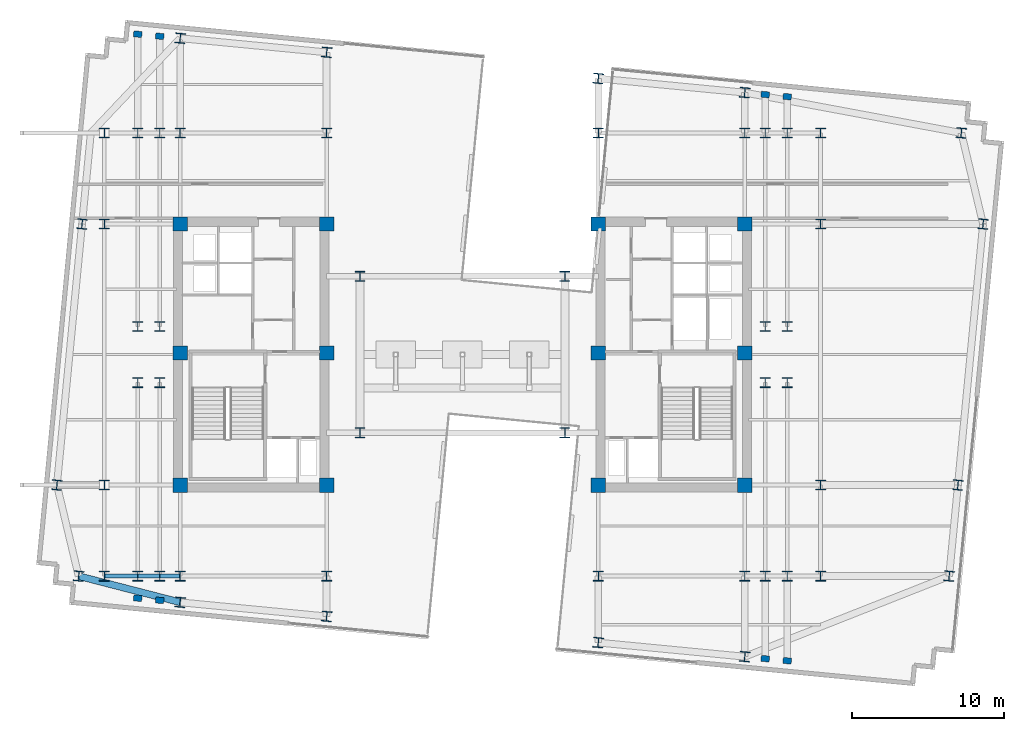
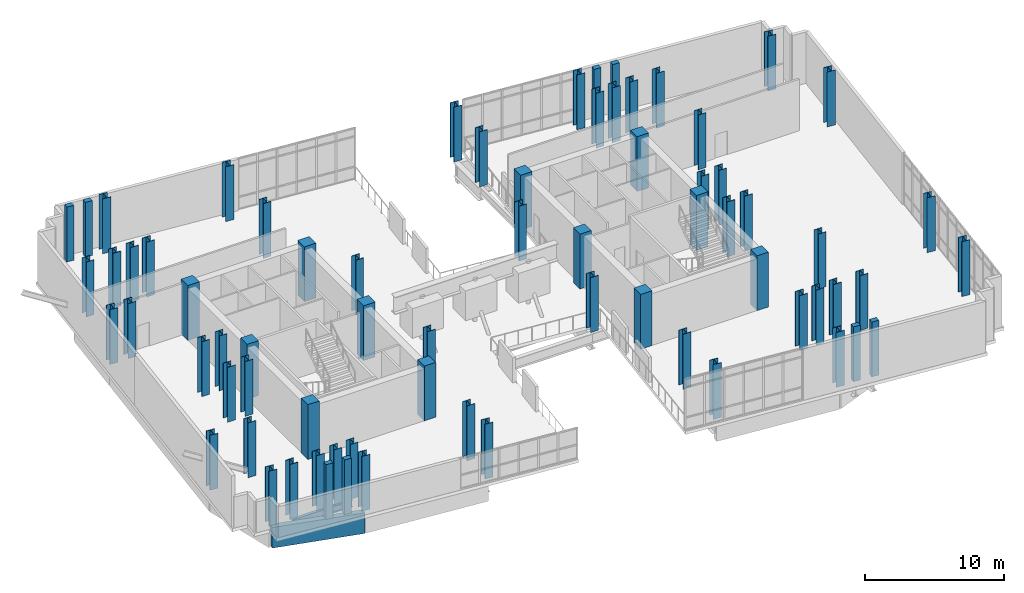
# One storey, part 1 of 16: 71 columns, 2 beams.
"""IFC4 building model written with IfcOpenShell, lengths in metres."""

import ifcopenshell
import ifcopenshell.guid

model = None  # the IFC model being written
_history = None  # IfcOwnerHistory: only IFC2X3 demands one
_inside = {}  # id of a spatial element -> (the spatial element, [elements in it])
_under = {}  # id of a project, library or spatial element -> (it, [spatial elements below it])
_declared = {}  # id of a project -> (the project, [libraries it declares])
_typed = {}  # id of a type object -> (the type object, [elements of that type])
_made_of = {}  # id of a material, layer set ... -> (it, [elements and type objects made of it])


def new_model(schema):
    """Start an empty IFC model of exactly this schema.

    Asked for "IFC4X3", IfcOpenShell would pick the latest addendum, in which some entities
    have other attributes; the version numbers below select the first issue.
    IFC2X3 requires an IfcOwnerHistory on every rooted entity: one is made here for all.
    """
    global model, _history
    if schema == "IFC4X3":
        model = ifcopenshell.file(schema_version=(4, 3, 0, 0))
    else:
        model = ifcopenshell.file(schema=schema)
    _inside.clear()
    _under.clear()
    _declared.clear()
    _typed.clear()
    _made_of.clear()
    _history = None
    if model.schema == "IFC2X3":
        org = make("IfcOrganization", Name="unknown")
        user = make(
            "IfcPersonAndOrganization",
            ThePerson=make("IfcPerson", FamilyName="unknown"),
            TheOrganization=org,
        )
        app = make(
            "IfcApplication",
            ApplicationDeveloper=org,
            Version="unknown",
            ApplicationFullName="unknown",
            ApplicationIdentifier="unknown",
        )
        _history = make(
            "IfcOwnerHistory",
            OwningUser=user,
            OwningApplication=app,
            ChangeAction="ADDED",
            CreationDate=0,
        )
    return model


def make(cls, **values):
    """One entity of the class cls with the attributes given. An attribute that is None is left unset."""
    return model.create_entity(
        cls, **{name: value for name, value in values.items() if value is not None}
    )


def rooted(cls, **values):
    """An entity with a GlobalId (a new one), such as an element, a storey or a relation."""
    return make(cls, GlobalId=ifcopenshell.guid.new(), OwnerHistory=_history, **values)


def si_unit(unit_type, name, prefix=None):
    """IfcSIUnit, for example si_unit("LENGTHUNIT", "METRE", prefix="MILLI")."""
    return make("IfcSIUnit", UnitType=unit_type, Prefix=prefix, Name=name)


def assignment(units):
    """IfcUnitAssignment: the units of a project."""
    return None if units is None else make("IfcUnitAssignment", Units=units)


def point(xyz):
    """IfcCartesianPoint."""
    return None if xyz is None else make("IfcCartesianPoint", Coordinates=xyz)


def direction(xyz):
    """IfcDirection."""
    return None if xyz is None else make("IfcDirection", DirectionRatios=xyz)


def frame(location, z_axis=None, x_axis=None):
    """IfcAxis2Placement3D, a coordinate frame: its origin and axes. An axis left out is left unset."""
    return make(
        "IfcAxis2Placement3D",
        Location=point(location),
        Axis=direction(z_axis),
        RefDirection=direction(x_axis),
    )


def frame_2d(location, x_axis=None):
    """IfcAxis2Placement2D, a coordinate frame in the plane: its origin and x axis."""
    return make(
        "IfcAxis2Placement2D", Location=point(location), RefDirection=direction(x_axis)
    )


def origin():
    """The frame at (0, 0, 0) with its axes left unset."""
    return frame((0.0, 0.0, 0.0))


def origin_2d():
    """The frame at (0, 0) in the plane with its x axis left unset."""
    return frame_2d((0.0, 0.0))


def place(relative_to, where):
    """IfcLocalPlacement: puts the frame where relative to a parent placement (None: the world)."""
    return make(
        "IfcLocalPlacement", PlacementRelTo=relative_to, RelativePlacement=where
    )


def context(
    kind, dimensions, precision=None, world=None, true_north=None, identifier=None
):
    """IfcGeometricRepresentationContext, for example the 3D "Model" context."""
    return make(
        "IfcGeometricRepresentationContext",
        ContextIdentifier=identifier,
        ContextType=kind,
        CoordinateSpaceDimension=dimensions,
        Precision=precision,
        WorldCoordinateSystem=world,
        TrueNorth=true_north,
    )


def subcontext(parent, identifier, kind, view, scale=None):
    """IfcGeometricRepresentationSubContext, for example "Body" below "Model"."""
    return make(
        "IfcGeometricRepresentationSubContext",
        ContextIdentifier=identifier,
        ContextType=kind,
        ParentContext=parent,
        TargetScale=scale,
        TargetView=view,
    )


def project(units=None, contexts=None):
    """IfcProject with its units and contexts."""
    return rooted(
        "IfcProject",
        Name="project",
        RepresentationContexts=contexts,
        UnitsInContext=assignment(units),
    )


def spatial(cls, under=None, at=None, **own):
    """A site, building, storey or space (cls), placed at a placement, below another one or the project."""
    s = rooted(cls, ObjectPlacement=at, **own)
    if under is not None:
        _under.setdefault(under.id(), (under, []))[1].append(s)
    return s


def profile(cls, at=None, kind="AREA", **sizes):
    """A parametric profile (cls). Its sizes go by their IFC names, for example OverallWidth=200.0."""
    return make(cls, ProfileType=kind, Position=at, **sizes)


def rectangle(**sizes):
    """IfcRectangleProfileDef."""
    return profile("IfcRectangleProfileDef", **sizes)


def i_section(**sizes):
    """IfcIShapeProfileDef."""
    return profile("IfcIShapeProfileDef", **sizes)


def extrude(swept, where, along, depth):
    """IfcExtrudedAreaSolid: the profile swept, set in the frame where, extruded along a direction by depth."""
    return make(
        "IfcExtrudedAreaSolid",
        SweptArea=swept,
        Position=where,
        ExtrudedDirection=direction(along),
        Depth=depth,
    )


def shape(context_of_items, identifier, shape_type, items):
    """IfcShapeRepresentation: the items that make up one representation, for example the "Body"."""
    return make(
        "IfcShapeRepresentation",
        ContextOfItems=context_of_items,
        RepresentationIdentifier=identifier,
        RepresentationType=shape_type,
        Items=items,
    )


def material(Name=None, Category=None):
    """IfcMaterial."""
    return make("IfcMaterial", Name=Name, Category=Category)


def material_profile(
    of_material, cross_section, Name=None, Category=None, Priority=None
):
    """IfcMaterialProfile: a cross section and its material."""
    return make(
        "IfcMaterialProfile",
        Name=Name,
        Material=of_material,
        Profile=cross_section,
        Priority=Priority,
        Category=Category,
    )


def profile_set(profiles, Name=None, composite=None):
    """IfcMaterialProfileSet."""
    return make(
        "IfcMaterialProfileSet",
        Name=Name,
        MaterialProfiles=profiles,
        CompositeProfile=composite,
    )


def made_of(thing, what):
    """Note that an element or type object is made of a material, layer set ...; save() writes the relation."""
    if what is not None:
        _made_of.setdefault(what.id(), (what, []))[1].append(thing)
    return thing


def type_object(cls, material=None, **own):
    """A type object (cls), such as IfcWallType, which elements share."""
    return made_of(rooted(cls, **own), material)


def element(
    cls,
    number,
    at=None,
    inside=None,
    cuts=None,
    type_object=None,
    material=None,
    context=None,
    identifier="Body",
    shape_type=None,
    held_by="IfcProductDefinitionShape",
    body=None,
    shapes=None,
    **own,
):
    """One element of the class cls, such as IfcWall. Its Tag is "e" and its number.

    at: its placement. inside: the storey or other place that contains it. cuts: it is an
    opening in that element (IfcRelVoidsElement). A single representation is given by context,
    identifier, shape_type and body (its items); several are given by shapes. held_by: the class
    of the entity that holds the representations. save() writes the other relations.
    """
    e = rooted(cls, Tag="e%d" % number, ObjectPlacement=at, **own)
    if body is not None:
        shapes = [shape(context, identifier, shape_type, body)]
    if shapes is not None:
        e.Representation = make(held_by, Representations=shapes)
    if inside is not None:
        _inside.setdefault(inside.id(), (inside, []))[1].append(e)
    if cuts is not None:
        rooted(
            "IfcRelVoidsElement", RelatingBuildingElement=cuts, RelatedOpeningElement=e
        )
    if type_object is not None:
        _typed.setdefault(type_object.id(), (type_object, []))[1].append(e)
    return made_of(e, material)


def aggregate(whole, parts):
    """IfcRelAggregates: a whole, such as a stair, and the parts it consists of."""
    return rooted("IfcRelAggregates", RelatingObject=whole, RelatedObjects=parts)


def save(model, path):
    """Write the relations noted so far, then the file.

    IfcRelAggregates (storeys below a building ...), IfcRelContainedInSpatialStructure (elements
    in a storey), IfcRelDefinesByType, IfcRelAssociatesMaterial and IfcRelDeclares: one each for
    every whole, place, type object, material and project.
    """
    for whole, parts in _under.values():
        aggregate(whole, parts)
    for where, things in _inside.values():
        rooted(
            "IfcRelContainedInSpatialStructure",
            RelatedElements=things,
            RelatingStructure=where,
        )
    for kind, things in _typed.values():
        rooted("IfcRelDefinesByType", RelatedObjects=things, RelatingType=kind)
    for what, things in _made_of.values():
        rooted("IfcRelAssociatesMaterial", RelatedObjects=things, RelatingMaterial=what)
    for by, libraries in _declared.values():
        rooted("IfcRelDeclares", RelatingContext=by, RelatedDefinitions=libraries)
    model.write(path)


model = new_model("IFC4")

# Units and contexts
model_context = context("Model", 3, precision=1e-05, world=origin(), true_north=direction((0.0, 1.0)))
body_context = subcontext(model_context, "Body", "Model", "MODEL_VIEW")
ifc_project = project(units=[si_unit("LENGTHUNIT", "METRE"), si_unit("AREAUNIT", "SQUARE_METRE"), si_unit("VOLUMEUNIT", "CUBIC_METRE"), si_unit("PLANEANGLEUNIT", "RADIAN"), si_unit("MASSUNIT", "GRAM", prefix="KILO")], contexts=[model_context])

# Site, building, storey
site_placement = place(None, origin())
site = spatial("IfcSite", under=ifc_project, at=site_placement, CompositionType="ELEMENT")
building_placement = place(site_placement, origin())
building = spatial("IfcBuilding", under=site, at=building_placement, Name="Velakula Bourse", CompositionType="ELEMENT")
storey_placement = place(building_placement, frame((0.0, 0.0, 199.5)))
storey = spatial("IfcBuildingStorey", under=building, at=storey_placement, Name="L54", CompositionType="ELEMENT", Elevation=199.5)

# Columns
ifc_material_1 = material(Name="Concrete M70 (fck 70 MPa)", Category="concrete")
ifc_material_profile_1 = material_profile(ifc_material_1, rectangle(XDim=0.949951171875, YDim=0.949951171875, at=origin_2d()), Name="Concrete M70 (fck 70 MPa)")
ifc_profile_set_1 = profile_set([ifc_material_profile_1], Name="Concrete M70 (fck 70 MPa)")
column_type_1 = type_object("IfcColumnType", Name="COL-RC-950", PredefinedType="COLUMN", material=ifc_profile_set_1)
for number, where, z_axis, x_axis, name in (
    (1, (-8.949951171875, -8.60009765625, 0.0), (0.0, 0.0, 1.0), (1.0, 0.0, 0.0), "L54 Core Boundary Column 01"),
    (2, (-8.949951171875, 0.10009765625, 0.0), (0.0, 0.0, 1.0), (1.0, 0.0, 0.0), "L54 Core Boundary Column 02"),
    (3, (-8.949951171875, 8.60009765625, 0.0), (0.0, 0.0, 1.0), (1.0, 0.0, 0.0), "L54 Core Boundary Column 03"),
    (4, (-18.60009765625, -8.60009765625, 0.0), (0.0, 0.0, 1.0), (1.0, 0.0, 0.0), "L54 Core Boundary Column 04"),
    (5, (-18.60009765625, 0.10009765625, 0.0), (0.0, 0.0, 1.0), (1.0, 0.0, 0.0), "L54 Core Boundary Column 05"),
    (6, (-18.60009765625, 8.60009765625, 0.0), (0.0, 0.0, 1.0), (1.0, 0.0, 0.0), "L54 Core Boundary Column 06"),
    (7, (8.949951171875, -8.60009765625, 0.0), (0.0, 0.0, 1.0), (1.0, 0.0, 0.0), "L54 Core Boundary Column 07"),
    (8, (8.949951171875, 0.10009765625, 0.0), (0.0, 0.0, 1.0), (1.0, 0.0, 0.0), "L54 Core Boundary Column 08"),
    (9, (8.949951171875, 8.60009765625, 0.0), (0.0, 0.0, 1.0), (1.0, 0.0, 0.0), "L54 Core Boundary Column 09"),
    (10, (18.60009765625, -8.60009765625, 0.0), (0.0, 0.0, 1.0), (1.0, 0.0, 0.0), "L54 Core Boundary Column 10"),
    (11, (18.60009765625, 0.10009765625, 0.0), (0.0, 0.0, 1.0), (1.0, 0.0, 0.0), "L54 Core Boundary Column 11"),
    (12, (18.60009765625, 8.60009765625, 0.0), (0.0, 0.0, 1.0), (1.0, 0.0, 0.0), "L54 Core Boundary Column 12"),
):
    element("IfcColumn", number, at=place(storey_placement, frame(where, z_axis=z_axis, x_axis=x_axis)), inside=storey, type_object=column_type_1, Name=name, PredefinedType="COLUMN", context=body_context, shape_type="SweptSolid", body=[
        extrude(rectangle(XDim=0.949951171875, YDim=0.949951171875, at=origin_2d()), origin(), (0.0, 0.0, 1.0), 4.800048828125),
    ])
ifc_material_2 = material(Name="Steel IS 2062 Grade 350 (E350)", Category="steel")
ifc_material_profile_2 = material_profile(ifc_material_2, i_section(OverallWidth=0.64990234375, OverallDepth=0.64990234375, WebThickness=0.028076171875, FlangeThickness=0.0400390625, at=origin_2d()), Name="Steel IS 2062 Grade 350 (E350)")
ifc_profile_set_2 = profile_set([ifc_material_profile_2], Name="Steel IS 2062 Grade 350 (E350)")
column_type_2 = type_object("IfcColumnType", Name="COL-STL-650", PredefinedType="COLUMN", material=ifc_profile_set_2)
for number, where, z_axis, x_axis, name in (
    (13, (-6.75, -5.14990234375, 0.0), (0.0, 0.0, 1.0), (1.0, 0.0, 0.0), "L54 Central Spine Column 01"),
    (14, (-6.75, 5.14990234375, 0.0), (0.0, 0.0, 1.0), (1.0, 0.0, 0.0), "L54 Central Spine Column 02"),
    (15, (6.75, -5.14990234375, 0.0), (0.0, 0.0, 1.0), (1.0, 0.0, 0.0), "L54 Central Spine Column 03"),
    (16, (6.75, 5.14990234375, 0.0), (0.0, 0.0, 1.0), (1.0, 0.0, 0.0), "L54 Central Spine Column 04"),
    (17, (-21.39990234375, -14.60009765625, 0.0), (0.0, 0.0, 1.0), (1.0, 0.0, 0.0), "L54 Tower Fulcrum Column 01"),
    (18, (-21.39990234375, 14.60009765625, 0.0), (0.0, 0.0, 1.0), (1.0, 0.0, 0.0), "L54 Tower Fulcrum Column 02"),
    (19, (-19.949951171875, -14.60009765625, 0.0), (0.0, 0.0, 1.0), (1.0, 0.0, 0.0), "L54 Tower Fulcrum Column 03"),
    (20, (-19.949951171875, 14.60009765625, 0.0), (0.0, 0.0, 1.0), (1.0, 0.0, 0.0), "L54 Tower Fulcrum Column 04"),
    (21, (-18.60009765625, -14.60009765625, 0.0), (0.0, 0.0, 1.0), (1.0, 0.0, 0.0), "L54 Tower Fulcrum Column 05"),
    (22, (-18.60009765625, 14.60009765625, 0.0), (0.0, 0.0, 1.0), (1.0, 0.0, 0.0), "L54 Tower Fulcrum Column 06"),
    (23, (-8.949951171875, -14.60009765625, 0.0), (0.0, 0.0, 1.0), (1.0, 0.0, 0.0), "L54 Tower Fulcrum Column 07"),
    (24, (-8.949951171875, 14.60009765625, 0.0), (0.0, 0.0, 1.0), (1.0, 0.0, 0.0), "L54 Tower Fulcrum Column 08"),
    (25, (8.949951171875, -14.60009765625, 0.0), (0.0, 0.0, 1.0), (1.0, 0.0, 0.0), "L54 Tower Fulcrum Column 09"),
    (26, (8.949951171875, 14.60009765625, 0.0), (0.0, 0.0, 1.0), (1.0, 0.0, 0.0), "L54 Tower Fulcrum Column 10"),
    (27, (18.60009765625, -14.60009765625, 0.0), (0.0, 0.0, 1.0), (1.0, 0.0, 0.0), "L54 Tower Fulcrum Column 11"),
    (28, (18.60009765625, 14.60009765625, 0.0), (0.0, 0.0, 1.0), (1.0, 0.0, 0.0), "L54 Tower Fulcrum Column 12"),
    (29, (19.949951171875, -14.60009765625, 0.0), (0.0, 0.0, 1.0), (1.0, 0.0, 0.0), "L54 Tower Fulcrum Column 13"),
    (30, (19.949951171875, 14.60009765625, 0.0), (0.0, 0.0, 1.0), (1.0, 0.0, 0.0), "L54 Tower Fulcrum Column 14"),
    (31, (21.39990234375, -14.60009765625, 0.0), (0.0, 0.0, 1.0), (1.0, 0.0, 0.0), "L54 Tower Fulcrum Column 15"),
    (32, (21.39990234375, 14.60009765625, 0.0), (0.0, 0.0, 1.0), (1.0, 0.0, 0.0), "L54 Tower Fulcrum Column 16"),
    (33, (-21.39990234375, -1.85009765625, 0.0), (0.0, 0.0, 1.0), (1.0, 0.0, 0.0), "L54 Tower Fulcrum Column 17"),
    (34, (-21.39990234375, 1.85009765625, 0.0), (0.0, 0.0, 1.0), (1.0, 0.0, 0.0), "L54 Tower Fulcrum Column 18"),
    (35, (-19.949951171875, -1.85009765625, 0.0), (0.0, 0.0, 1.0), (1.0, 0.0, 0.0), "L54 Tower Fulcrum Column 19"),
    (36, (-19.949951171875, 1.85009765625, 0.0), (0.0, 0.0, 1.0), (1.0, 0.0, 0.0), "L54 Tower Fulcrum Column 20"),
    (37, (19.949951171875, -1.85009765625, 0.0), (0.0, 0.0, 1.0), (1.0, 0.0, 0.0), "L54 Tower Fulcrum Column 21"),
    (38, (19.949951171875, 1.85009765625, 0.0), (0.0, 0.0, 1.0), (1.0, 0.0, 0.0), "L54 Tower Fulcrum Column 22"),
    (39, (21.39990234375, -1.85009765625, 0.0), (0.0, 0.0, 1.0), (1.0, 0.0, 0.0), "L54 Tower Fulcrum Column 23"),
    (40, (21.39990234375, 1.85009765625, 0.0), (0.0, 0.0, 1.0), (1.0, 0.0, 0.0), "L54 Tower Fulcrum Column 24"),
    (41, (-23.60009765625, -14.60009765625, 0.0), (0.0, 0.0, 1.0), (1.0, 0.0, 0.0), "L54 Mid-Wing Plumb Column 01"),
    (42, (-23.60009765625, -8.60009765625, 0.0), (0.0, 0.0, 1.0), (1.0, 0.0, 0.0), "L54 Mid-Wing Plumb Column 02"),
    (43, (-23.60009765625, 8.60009765625, 0.0), (0.0, 0.0, 1.0), (1.0, 0.0, 0.0), "L54 Mid-Wing Plumb Column 03"),
    (44, (-23.60009765625, 14.60009765625, 0.0), (0.0, 0.0, 1.0), (1.0, 0.0, 0.0), "L54 Mid-Wing Plumb Column 04"),
    (45, (23.60009765625, -14.60009765625, 0.0), (0.0, 0.0, 1.0), (1.0, 0.0, 0.0), "L54 Mid-Wing Plumb Column 05"),
    (46, (23.60009765625, -8.60009765625, 0.0), (0.0, 0.0, 1.0), (1.0, 0.0, 0.0), "L54 Mid-Wing Plumb Column 06"),
    (47, (23.60009765625, 8.60009765625, 0.0), (0.0, 0.0, 1.0), (1.0, 0.0, 0.0), "L54 Mid-Wing Plumb Column 07"),
    (48, (23.60009765625, 14.60009765625, 0.0), (0.0, 0.0, 1.0), (1.0, 0.0, 0.0), "L54 Mid-Wing Plumb Column 08"),
    (49, (-18.60009765625, -16.32861328125, 0.0), (0.0, 0.0, 1.0), (0.995396198367, -0.09584575252, 0.0), "L54 Block B4 Perimeter Column S1"),
    (50, (-8.949951171875, -17.2578125, 0.0), (0.0, 0.0, 1.0), (0.995396198367, -0.09584575252, 0.0), "L54 Block B4 Perimeter Column S2"),
    (51, (8.949951171875, -18.9814453125, 0.0), (0.0, 0.0, 1.0), (0.995396198367, -0.09584575252, 0.0), "L54 Block B4 Perimeter Column S3"),
    (52, (18.60009765625, -19.91064453125, 0.0), (0.0, 0.0, 1.0), (0.995396198367, -0.09584575252, 0.0), "L54 Block B4 Perimeter Column S4"),
    (53, (-18.60009765625, 20.84228515625, 0.0), (0.0, 0.0, 1.0), (0.995396198367, -0.09584575252, 0.0), "L54 Block B4 Perimeter Column N1"),
    (54, (-8.949951171875, 19.9130859375, 0.0), (0.0, 0.0, 1.0), (0.995396198367, -0.09584575252, 0.0), "L54 Block B4 Perimeter Column N2"),
    (55, (8.949951171875, 18.189697265625, 0.0), (0.0, 0.0, 1.0), (0.995396198367, -0.09584575252, 0.0), "L54 Block B4 Perimeter Column N3"),
    (56, (18.60009765625, 17.260498046875, 0.0), (0.0, 0.0, 1.0), (0.995396198367, -0.09584575252, 0.0), "L54 Block B4 Perimeter Column N4"),
    (57, (-25.29296875, -14.60009765625, 0.0), (0.0, 0.0, 1.0), (0.995396198367, -0.09584575252, 0.0), "L54 Block B4 Perimeter Column W1"),
    (58, (-26.724365234375, -8.60009765625, 0.0), (0.0, 0.0, 1.0), (0.995396198367, -0.09584575252, 0.0), "L54 Block B4 Perimeter Column W2"),
    (59, (-25.068115234375, 8.60009765625, 0.0), (0.0, 0.0, 1.0), (0.995396198367, -0.09584575252, 0.0), "L54 Block B4 Perimeter Column W3"),
    (60, (32.0712890625, -14.60009765625, 0.0), (0.0, 0.0, 1.0), (0.995396198367, -0.09584575252, 0.0), "L54 Block B4 Perimeter Column E1"),
    (61, (32.64892578125, -8.60009765625, 0.0), (0.0, 0.0, 1.0), (0.995396198367, -0.09584575252, 0.0), "L54 Block B4 Perimeter Column E2"),
    (62, (34.30517578125, 8.60009765625, 0.0), (0.0, 0.0, 1.0), (0.995396198367, -0.09584575252, 0.0), "L54 Block B4 Perimeter Column E3"),
    (63, (32.87353515625, 14.60009765625, 0.0), (0.0, 0.0, 1.0), (0.995396198367, -0.09584575252, 0.0), "L54 Block B4 Perimeter Column E4"),
):
    element("IfcColumn", number, at=place(storey_placement, frame(where, z_axis=z_axis, x_axis=x_axis)), inside=storey, type_object=column_type_2, Name=name, PredefinedType="COLUMN", context=body_context, shape_type="SweptSolid", body=[
        extrude(i_section(OverallWidth=0.64990234375, OverallDepth=0.64990234375, WebThickness=0.028076171875, FlangeThickness=0.0400390625, at=origin_2d()), origin(), (0.0, 0.0, 1.0), 4.800048828125),
    ])
ifc_material_3 = material(Name="Precast concrete M45 (fck 45 MPa)", Category="concrete")
ifc_material_profile_3 = material_profile(ifc_material_3, rectangle(XDim=0.550048828125, YDim=0.39990234375, at=origin_2d()), Name="Precast concrete M45 (fck 45 MPa)")
ifc_profile_set_3 = profile_set([ifc_material_profile_3], Name="Precast concrete M45 (fck 45 MPa)")
column_type_3 = type_object("IfcColumnType", Name="PIL-BRICK-550", PredefinedType="PILASTER", material=ifc_profile_set_3)
for number, where, z_axis, x_axis, name in (
    (64, (-21.39990234375, -16.05908203125, 0.0), (0.0, 0.0, 1.0), (0.995396198367, -0.09584575252, 0.0), "L54 Brick Pier Pilaster 01"),
    (65, (-19.949951171875, -16.19873046875, 0.0), (0.0, 0.0, 1.0), (0.995396198367, -0.09584575252, 0.0), "L54 Brick Pier Pilaster 02"),
    (66, (19.949951171875, -20.04052734375, 0.0), (0.0, 0.0, 1.0), (0.995396198367, -0.09584575252, 0.0), "L54 Brick Pier Pilaster 03"),
    (67, (21.39990234375, -20.180419921875, 0.0), (0.0, 0.0, 1.0), (0.995396198367, -0.09584575252, 0.0), "L54 Brick Pier Pilaster 04"),
    (68, (-21.39990234375, 21.112060546875, 0.0), (0.0, 0.0, 1.0), (0.995396198367, -0.09584575252, 0.0), "L54 Brick Pier Pilaster 05"),
    (69, (-19.949951171875, 20.972412109375, 0.0), (0.0, 0.0, 1.0), (0.995396198367, -0.09584575252, 0.0), "L54 Brick Pier Pilaster 06"),
    (70, (19.949951171875, 17.130615234375, 0.0), (0.0, 0.0, 1.0), (0.995396198367, -0.09584575252, 0.0), "L54 Brick Pier Pilaster 07"),
    (71, (21.39990234375, 16.990966796875, 0.0), (0.0, 0.0, 1.0), (0.995396198367, -0.09584575252, 0.0), "L54 Brick Pier Pilaster 08"),
):
    element("IfcColumn", number, at=place(storey_placement, frame(where, z_axis=z_axis, x_axis=x_axis)), inside=storey, type_object=column_type_3, Name=name, PredefinedType="PILASTER", context=body_context, shape_type="SweptSolid", body=[
        extrude(rectangle(XDim=0.550048828125, YDim=0.39990234375, at=origin_2d()), origin(), (0.0, 0.0, 1.0), 4.800048828125),
    ])

# Beams
ifc_material_profile_4 = material_profile(ifc_material_2, i_section(OverallWidth=0.25, OverallDepth=0.60009765625, WebThickness=0.01123046875, FlangeThickness=0.021240234375, at=origin_2d()), Name="Steel IS 2062 Grade 350 (E350)")
ifc_profile_set_4 = profile_set([ifc_material_profile_4], Name="Steel IS 2062 Grade 350 (E350)")
beam_type_1 = type_object("IfcBeamType", Name="BM-GRD-600M", PredefinedType="BEAM", material=ifc_profile_set_4)
beam_1_placement = place(storey_placement, frame((-23.60009765625, -14.60009765625, -0.580078125), z_axis=(1.0, 0.0, 0.0), x_axis=(0.0, 1.0, 0.0)))
element("IfcBeam", 72, at=beam_1_placement, inside=storey, type_object=beam_type_1, Name="L54 Fulcrum Grid Girder MWG-WS1", PredefinedType="BEAM", context=body_context, shape_type="SweptSolid", body=[
    extrude(i_section(OverallWidth=0.25, OverallDepth=0.60009765625, WebThickness=0.01123046875, FlangeThickness=0.021240234375, at=origin_2d()), origin(), (0.0, 0.0, 1.0), 5.0),
])
ifc_material_4 = material(Name="Concrete M50 (fck 50 MPa)", Category="concrete")
ifc_material_profile_5 = material_profile(ifc_material_4, rectangle(XDim=0.449951171875, YDim=1.800048828125, at=origin_2d()), Name="Concrete M50 (fck 50 MPa)")
ifc_profile_set_5 = profile_set([ifc_material_profile_5], Name="Concrete M50 (fck 50 MPa)")
beam_type_2 = type_object("IfcBeamType", Name="SPN-TRF-1800", PredefinedType="SPANDREL", material=ifc_profile_set_5)
beam_2_placement = place(storey_placement, frame((-25.29296875, -14.60009765625, -1.179931640625), z_axis=(0.968230996313, -0.250057468954, 0.0), x_axis=(0.250057468954, 0.968230996313, 0.0)))
element("IfcBeam", 73, at=beam_2_placement, inside=storey, type_object=beam_type_2, Name="L54 Brick-Faced Precast Spandrel W1-S1", PredefinedType="SPANDREL", context=body_context, shape_type="SweptSolid", body=[
    extrude(rectangle(XDim=0.449951171875, YDim=1.800048828125, at=origin_2d()), origin(), (0.0, 0.0, 1.0), 6.912353515625),
])

save(model, "model.ifc")
